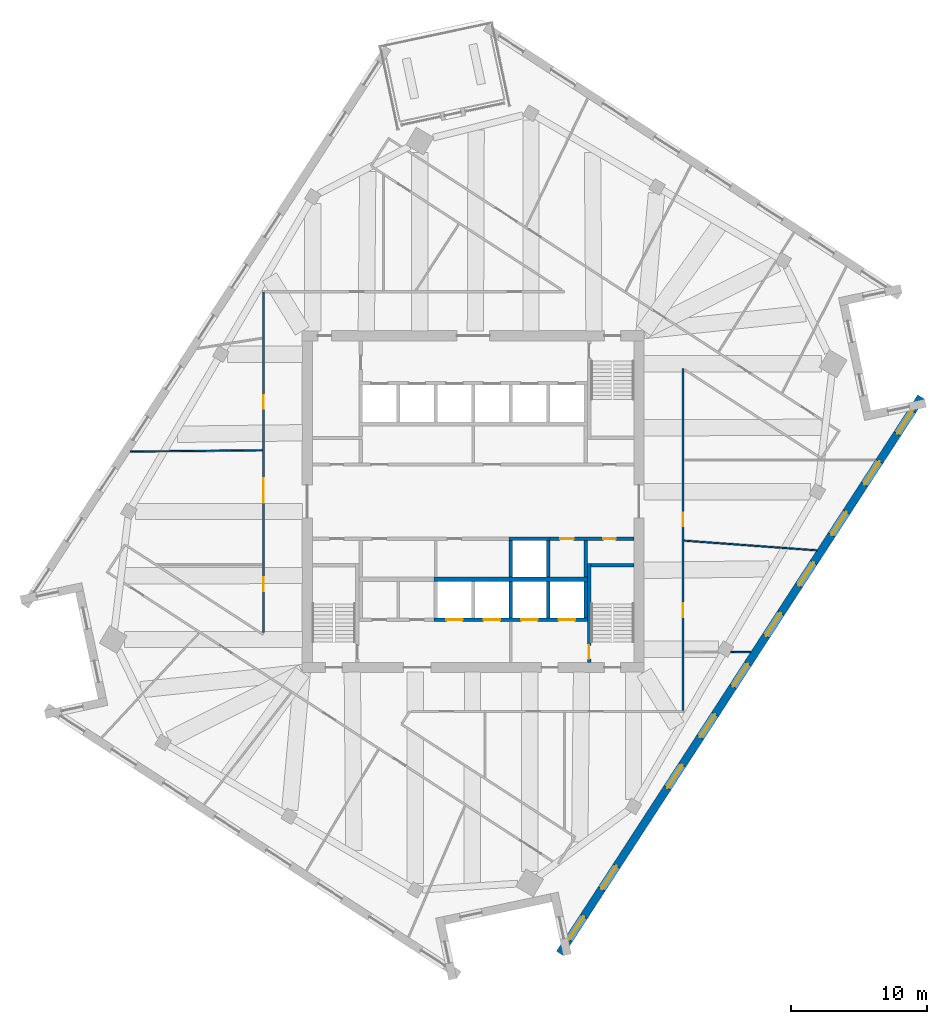
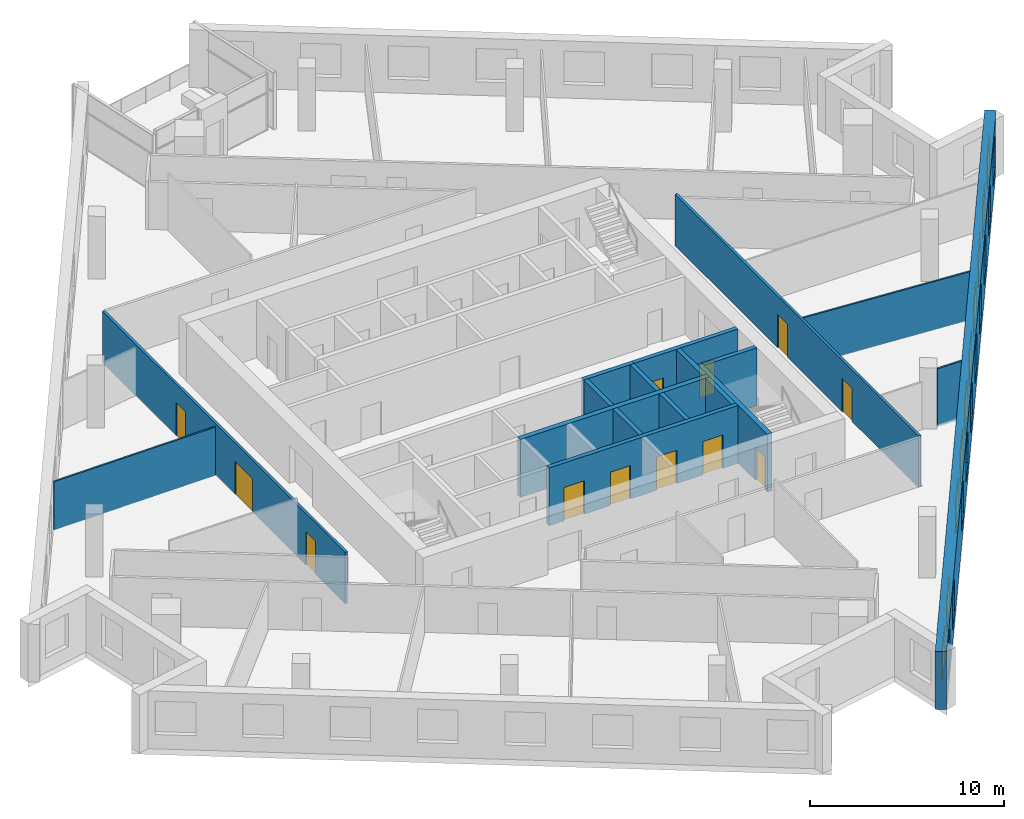
# One storey, part 7 of 12: 18 walls, 12 doors, 10 windows, 22 openings.
"""IFC4 building model written with IfcOpenShell, lengths in metres."""

from ifc_helpers import new_model, si_unit, direction, frame, frame_2d, origin, place, context, subcontext, project, spatial, rectangle, extrude, material, layer, layer_set, type_object, element, fill, save


model = new_model("IFC4")

# Units and contexts
model_context = context("Model", 3, precision=1e-05, world=origin(), true_north=direction((0.0, 1.0)))
body_context = subcontext(model_context, "Body", "Model", "MODEL_VIEW")
ifc_project = project(units=[si_unit("LENGTHUNIT", "METRE"), si_unit("AREAUNIT", "SQUARE_METRE"), si_unit("VOLUMEUNIT", "CUBIC_METRE"), si_unit("PLANEANGLEUNIT", "RADIAN"), si_unit("MASSUNIT", "GRAM", prefix="KILO")], contexts=[model_context])

# Site, building, storey
site_placement = place(None, origin())
site = spatial("IfcSite", under=ifc_project, at=site_placement, CompositionType="ELEMENT")
building_placement = place(site_placement, origin())
building = spatial("IfcBuilding", under=site, at=building_placement, Name="Dilmun Exchange Tower", CompositionType="ELEMENT")
storey_placement = place(building_placement, frame((0.0, 0.0, 258.89990234375)))
storey = spatial("IfcBuildingStorey", under=building, at=storey_placement, Name="L61", CompositionType="ELEMENT", Elevation=258.89990234375)

# Wall
ifc_material_1 = material(Name="Concrete C40/50", Category="concrete")
ifc_layer_1 = layer(ifc_material_1, 0.25)
ifc_layer_set_1 = layer_set([ifc_layer_1], Name="Concrete C40/50")
wall_type_1 = type_object("IfcWallType", Name="Core partition wall 250", PredefinedType="PARTITIONING", material=ifc_layer_set_1)
wall_1_placement = place(storey_placement, frame((8.25, -5.544921875, 0.0), z_axis=(0.0, 0.0, 1.0), x_axis=(0.0, 1.0, 0.0)))
element("IfcWall", 1, at=wall_1_placement, inside=storey, type_object=wall_type_1, Name="L61 core partition wall 08", PredefinedType="PARTITIONING", context=body_context, shape_type="SweptSolid", body=[
    extrude(rectangle(XDim=2.68994140625, YDim=0.25, at=frame_2d((1.344970703125, 0.0))), origin(), (0.0, 0.0, 1.0), 3.64013671875),
])

# Wall, openings, doors
wall_2_placement = place(storey_placement, frame((5.6298828125, -2.72509765625, 0.0), z_axis=(0.0, 0.0, 1.0), x_axis=(1.0, 0.0, 0.0)))
wall_2 = element("IfcWall", 2, at=wall_2_placement, inside=storey, type_object=wall_type_1, Name="L61 core partition wall 10", PredefinedType="PARTITIONING", context=body_context, shape_type="SweptSolid", body=[
    extrude(rectangle(XDim=6.1650390625, YDim=0.25, at=frame_2d((3.08251953125, 0.0))), origin(), (0.0, 0.0, 1.0), 3.64013671875),
])
opening_1_placement = place(wall_2_placement, frame((0.7451171875, 0.0, 0.0)))
opening_1 = element("IfcOpeningElement", 3, at=opening_1_placement, cuts=wall_2, Name="Opening CD4", PredefinedType="OPENING", context=body_context, shape_type="SweptSolid", body=[
    extrude(rectangle(XDim=1.0, YDim=2.10009765625, at=frame_2d((0.5, 1.050048828125))), frame((0.0, 0.135009765625, 0.0), z_axis=(0.0, -1.0, 0.0), x_axis=(1.0, 0.0, 0.0)), (0.0, 0.0, 1.0), 0.27001953125),
])
opening_2_placement = place(wall_2_placement, frame((3.919921875, 0.0, 0.0)))
opening_2 = element("IfcOpeningElement", 4, at=opening_2_placement, cuts=wall_2, Name="Opening CD6", PredefinedType="OPENING", context=body_context, shape_type="SweptSolid", body=[
    extrude(rectangle(XDim=0.89990234375, YDim=2.10009765625, at=frame_2d((0.449951171875, 1.050048828125))), frame((0.0, 0.135009765625, 0.0), z_axis=(0.0, -1.0, 0.0), x_axis=(1.0, 0.0, 0.0)), (0.0, 0.0, 1.0), 0.27001953125),
])
ifc_material_2 = material(Name="Fire-rated steel door set", Category="steel")
door_type_1 = type_object("IfcDoorType", Name="Core room door 1000x2100", OperationType="SINGLE_SWING_LEFT", PredefinedType="DOOR", material=ifc_material_2)
door_1_placement = place(opening_1_placement, origin())
door_1 = element("IfcDoor", 5, at=door_1_placement, inside=storey, type_object=door_type_1, Name="L61 door Cleaners' store", OperationType="SINGLE_SWING_RIGHT", OverallHeight=2.10009765625, OverallWidth=1.0, PredefinedType="DOOR", context=body_context, shape_type="SweptSolid", body=[
    extrude(rectangle(XDim=1.0, YDim=2.10009765625, at=frame_2d((0.5, 1.050048828125))), frame((0.0, 0.02490234375, 0.0), z_axis=(0.0, -1.0, 0.0), x_axis=(1.0, 0.0, 0.0)), (0.0, 0.0, 1.0), 0.050048828125),
])
fill(opening_1, door_1)
door_type_2 = type_object("IfcDoorType", Name="Core room door 900x2100", OperationType="SINGLE_SWING_LEFT", PredefinedType="DOOR", material=ifc_material_2)
door_2_placement = place(opening_2_placement, origin())
door_2 = element("IfcDoor", 6, at=door_2_placement, inside=storey, type_object=door_type_2, Name="L61 door Comms riser", OperationType="SINGLE_SWING_RIGHT", OverallHeight=2.10009765625, OverallWidth=0.89990234375, PredefinedType="DOOR", context=body_context, shape_type="SweptSolid", body=[
    extrude(rectangle(XDim=0.89990234375, YDim=2.10009765625, at=frame_2d((0.449951171875, 1.050048828125))), frame((0.0, 0.02490234375, 0.0), z_axis=(0.0, -1.0, 0.0), x_axis=(1.0, 0.0, 0.0)), (0.0, 0.0, 1.0), 0.050048828125),
])
fill(opening_2, door_2)

ifc_material_3 = material(Name="Corridor wall 150")
ifc_layer_2 = layer(ifc_material_3, 0.14990234375)
ifc_layer_set_2 = layer_set([ifc_layer_2], Name="Corridor wall 150")
wall_type_2 = type_object("IfcWallType", Name="Corridor wall 150", PredefinedType="PARTITIONING", material=ifc_layer_set_2)
wall_3_placement = place(storey_placement, frame((-15.39990234375, -9.618896484375, 0.0), z_axis=(0.0, 0.0, 1.0), x_axis=(0.0, 1.0, 0.0)))
wall_3 = element("IfcWall", 7, at=wall_3_placement, inside=storey, type_object=wall_type_2, Name="Corridor wall", PredefinedType="PARTITIONING", context=body_context, shape_type="SweptSolid", body=[
    extrude(rectangle(XDim=25.018798828125, YDim=0.14990234375, at=frame_2d((12.50927734375, 0.0))), origin(), (0.0, 0.0, 1.0), 3.239990234375),
])
opening_3_placement = place(wall_3_placement, frame((9.53173828125, 0.0, 0.0)))
opening_3 = element("IfcOpeningElement", 8, at=opening_3_placement, cuts=wall_3, Name="Opening TF60-D01", PredefinedType="OPENING", context=body_context, shape_type="SweptSolid", body=[
    extrude(rectangle(XDim=1.800048828125, YDim=2.10009765625, at=frame_2d((0.89990234375, 1.050048828125))), frame((0.0, 0.0849609375, 0.0), z_axis=(0.0, -1.0, 0.0), x_axis=(1.0, 0.0, 0.0)), (0.0, 0.0, 1.0), 0.169921875),
])
opening_4_placement = place(wall_3_placement, frame((16.4365234375, 0.0, 0.0)))
opening_4 = element("IfcOpeningElement", 9, at=opening_4_placement, cuts=wall_3, Name="Opening TF60-D04", PredefinedType="OPENING", context=body_context, shape_type="SweptSolid", body=[
    extrude(rectangle(XDim=1.0, YDim=2.10009765625, at=frame_2d((0.5, 1.050048828125))), frame((0.0, 0.0849609375, 0.0), z_axis=(0.0, -1.0, 0.0), x_axis=(1.0, 0.0, 0.0)), (0.0, 0.0, 1.0), 0.169921875),
])
opening_5_placement = place(wall_3_placement, frame((3.050048828125, 0.0, 0.0)))
opening_5 = element("IfcOpeningElement", 10, at=opening_5_placement, cuts=wall_3, Name="Opening TF60-D05", PredefinedType="OPENING", context=body_context, shape_type="SweptSolid", body=[
    extrude(rectangle(XDim=1.0, YDim=2.10009765625, at=frame_2d((0.5, 1.050048828125))), frame((0.0, 0.0849609375, 0.0), z_axis=(0.0, -1.0, 0.0), x_axis=(1.0, 0.0, 0.0)), (0.0, 0.0, 1.0), 0.169921875),
])
ifc_material_4 = material(Name="Fire door 1000 x 2100")
door_type_3 = type_object("IfcDoorType", Name="Fire door 1000 x 2100", OperationType="NOTDEFINED", PredefinedType="DOOR", material=ifc_material_4)
door_3_placement = place(opening_4_placement, origin())
door_3 = element("IfcDoor", 11, at=door_3_placement, inside=storey, type_object=door_type_3, Name="Door TF60-D04", OperationType="SINGLE_SWING_LEFT", OverallHeight=2.10009765625, OverallWidth=1.0, PredefinedType="DOOR", context=body_context, shape_type="SweptSolid", body=[
    extrude(rectangle(XDim=1.0, YDim=2.10009765625, at=frame_2d((0.5, 1.050048828125))), frame((0.0, 0.02490234375, 0.0), z_axis=(0.0, -1.0, 0.0), x_axis=(1.0, 0.0, 0.0)), (0.0, 0.0, 1.0), 0.050048828125),
])
fill(opening_4, door_3)
door_4_placement = place(opening_5_placement, origin())
door_4 = element("IfcDoor", 12, at=door_4_placement, inside=storey, type_object=door_type_3, Name="Door TF60-D05", OperationType="SINGLE_SWING_LEFT", OverallHeight=2.10009765625, OverallWidth=1.0, PredefinedType="DOOR", context=body_context, shape_type="SweptSolid", body=[
    extrude(rectangle(XDim=1.0, YDim=2.10009765625, at=frame_2d((0.5, 1.050048828125))), frame((0.0, 0.02490234375, 0.0), z_axis=(0.0, -1.0, 0.0), x_axis=(1.0, 0.0, 0.0)), (0.0, 0.0, 1.0), 0.050048828125),
])
fill(opening_5, door_4)
ifc_material_5 = material(Name="Fire door pair 1800 x 2100")
door_type_4 = type_object("IfcDoorType", Name="Fire door pair 1800 x 2100", OperationType="NOTDEFINED", PredefinedType="DOOR", material=ifc_material_5)
door_5_placement = place(opening_3_placement, origin())
door_5 = element("IfcDoor", 13, at=door_5_placement, inside=storey, type_object=door_type_4, Name="Door TF60-D01", OperationType="DOUBLE_DOOR_SINGLE_SWING", OverallHeight=2.10009765625, OverallWidth=1.800048828125, PredefinedType="DOOR", context=body_context, shape_type="SweptSolid", body=[
    extrude(rectangle(XDim=1.800048828125, YDim=2.10009765625, at=frame_2d((0.89990234375, 1.050048828125))), frame((0.0, 0.02490234375, 0.0), z_axis=(0.0, -1.0, 0.0), x_axis=(1.0, 0.0, 0.0)), (0.0, 0.0, 1.0), 0.050048828125),
])
fill(opening_3, door_5)

wall_4_placement = place(storey_placement, frame((15.39990234375, -15.324951171875, 0.0), z_axis=(0.0, 0.0, 1.0), x_axis=(0.0, 1.0, 0.0)))
wall_4 = element("IfcWall", 14, at=wall_4_placement, inside=storey, type_object=wall_type_2, Name="Corridor wall", PredefinedType="PARTITIONING", context=body_context, shape_type="SweptSolid", body=[
    extrude(rectangle(XDim=25.08203125, YDim=0.14990234375, at=frame_2d((12.541015625, 0.0))), origin(), (0.0, 0.0, 1.0), 3.239990234375),
])
opening_6_placement = place(wall_4_placement, frame((6.8466796875, 0.0, 0.0)))
opening_6 = element("IfcOpeningElement", 15, at=opening_6_placement, cuts=wall_4, Name="Opening TF60-D18", PredefinedType="OPENING", context=body_context, shape_type="SweptSolid", body=[
    extrude(rectangle(XDim=1.0, YDim=2.10009765625, at=frame_2d((0.5, 1.050048828125))), frame((0.0, 0.0849609375, 0.0), z_axis=(0.0, -1.0, 0.0), x_axis=(1.0, 0.0, 0.0)), (0.0, 0.0, 1.0), 0.169921875),
])
opening_7_placement = place(wall_4_placement, frame((13.51171875, 0.0, 0.0)))
opening_7 = element("IfcOpeningElement", 16, at=opening_7_placement, cuts=wall_4, Name="Opening TF60-D19", PredefinedType="OPENING", context=body_context, shape_type="SweptSolid", body=[
    extrude(rectangle(XDim=1.0, YDim=2.10009765625, at=frame_2d((0.5, 1.050048828125))), frame((0.0, 0.0849609375, 0.0), z_axis=(0.0, -1.0, 0.0), x_axis=(1.0, 0.0, 0.0)), (0.0, 0.0, 1.0), 0.169921875),
])
door_6_placement = place(opening_6_placement, frame((1.0, 0.0, 0.0), z_axis=(0.0, 0.0, 1.0), x_axis=(-1.0, 0.0, 0.0)))
door_6 = element("IfcDoor", 17, at=door_6_placement, inside=storey, type_object=door_type_3, Name="Door TF60-D18", OperationType="SINGLE_SWING_RIGHT", OverallHeight=2.10009765625, OverallWidth=1.0, PredefinedType="DOOR", context=body_context, shape_type="SweptSolid", body=[
    extrude(rectangle(XDim=1.0, YDim=2.10009765625, at=frame_2d((0.5, 1.050048828125))), frame((0.0, 0.02490234375, 0.0), z_axis=(0.0, -1.0, 0.0), x_axis=(1.0, 0.0, 0.0)), (0.0, 0.0, 1.0), 0.050048828125),
])
fill(opening_6, door_6)
door_7_placement = place(opening_7_placement, frame((1.0, 0.0, 0.0), z_axis=(0.0, 0.0, 1.0), x_axis=(-1.0, 0.0, 0.0)))
door_7 = element("IfcDoor", 18, at=door_7_placement, inside=storey, type_object=door_type_3, Name="Door TF60-D19", OperationType="SINGLE_SWING_LEFT", OverallHeight=2.10009765625, OverallWidth=1.0, PredefinedType="DOOR", context=body_context, shape_type="SweptSolid", body=[
    extrude(rectangle(XDim=1.0, YDim=2.10009765625, at=frame_2d((0.5, 1.050048828125))), frame((0.0, 0.02490234375, 0.0), z_axis=(0.0, -1.0, 0.0), x_axis=(1.0, 0.0, 0.0)), (0.0, 0.0, 1.0), 0.050048828125),
])
fill(opening_7, door_7)

# Walls
ifc_layer_3 = layer(ifc_material_1, 0.300048828125)
ifc_layer_set_3 = layer_set([ifc_layer_3], Name="Concrete C40/50")
wall_type_3 = type_object("IfcWallType", Name="Lift shaft shared wall 300", PredefinedType="SOLIDWALL", material=ifc_layer_set_3)
wall_5_placement = place(storey_placement, frame((-2.875, -5.699951171875, 0.0), z_axis=(0.0, 0.0, 1.0), x_axis=(1.0, 0.0, 0.0)))
element("IfcWall", 19, at=wall_5_placement, inside=storey, type_object=wall_type_3, Name="L61 lift shaft rear wall S", PredefinedType="SOLIDWALL", context=body_context, shape_type="SweptSolid", body=[
    extrude(rectangle(XDim=11.25, YDim=0.300048828125, at=frame_2d((5.625, 0.0))), origin(), (0.0, 0.0, 1.0), 3.64013671875),
])
ifc_layer_4 = layer(ifc_material_1, 0.25)
ifc_layer_set_4 = layer_set([ifc_layer_4], Name="Concrete C40/50")
wall_type_4 = type_object("IfcWallType", Name="Lift shaft wall 250", PredefinedType="SOLIDWALL", material=ifc_layer_set_4)
wall_6_placement = place(storey_placement, frame((2.625, -2.72509765625, 0.0), z_axis=(0.0, 0.0, 1.0), x_axis=(1.0, 0.0, 0.0)))
element("IfcWall", 20, at=wall_6_placement, inside=storey, type_object=wall_type_4, Name="L61 lift shaft front wall S1", PredefinedType="SOLIDWALL", context=body_context, shape_type="SweptSolid", body=[
    extrude(rectangle(XDim=3.0, YDim=0.25, at=frame_2d((1.5, 0.0))), origin(), (0.0, 0.0, 1.0), 3.64013671875),
])
for number, where, z_axis, x_axis, name in (
    (21, (2.75, -5.550048828125, 0.0), (0.0, 0.0, 1.0), (0.0, 1.0, 0.0), "L61 lift shaft divider S14"),
    (22, (5.5, -5.550048828125, 0.0), (0.0, 0.0, 1.0), (0.0, 1.0, 0.0), "L61 lift shaft divider S15"),
):
    element("IfcWall", number, at=place(storey_placement, frame(where, z_axis=z_axis, x_axis=x_axis)), inside=storey, type_object=wall_type_4, Name=name, PredefinedType="SOLIDWALL", context=body_context, shape_type="SweptSolid", body=[
        extrude(rectangle(XDim=2.699951171875, YDim=0.25, at=frame_2d((1.35009765625, 0.0))), origin(), (0.0, 0.0, 1.0), 3.64013671875),
    ])

# Wall, openings, doors
wall_7_placement = place(storey_placement, frame((-2.875, -8.675048828125, 0.0), z_axis=(0.0, 0.0, 1.0), x_axis=(1.0, 0.0, 0.0)))
wall_7 = element("IfcWall", 23, at=wall_7_placement, inside=storey, type_object=wall_type_4, Name="L61 lift shaft front wall S2", PredefinedType="SOLIDWALL", context=body_context, shape_type="SweptSolid", body=[
    extrude(rectangle(XDim=11.25, YDim=0.25, at=frame_2d((5.625, 0.0))), origin(), (0.0, 0.0, 1.0), 3.64013671875),
])
opening_8_placement = place(wall_7_placement, frame((0.89990234375, 0.0, 0.0)))
opening_8 = element("IfcOpeningElement", 24, at=opening_8_placement, cuts=wall_7, Name="Opening LD", PredefinedType="OPENING", context=body_context, shape_type="SweptSolid", body=[
    extrude(rectangle(XDim=1.199951171875, YDim=2.10009765625, at=frame_2d((0.60009765625, 1.050048828125))), frame((0.0, 0.135009765625, 0.0), z_axis=(0.0, -1.0, 0.0), x_axis=(1.0, 0.0, 0.0)), (0.0, 0.0, 1.0), 0.27001953125),
])
opening_9_placement = place(wall_7_placement, frame((3.64990234375, 0.0, 0.0)))
opening_9 = element("IfcOpeningElement", 25, at=opening_9_placement, cuts=wall_7, Name="Opening LD", PredefinedType="OPENING", context=body_context, shape_type="SweptSolid", body=[
    extrude(rectangle(XDim=1.199951171875, YDim=2.10009765625, at=frame_2d((0.60009765625, 1.050048828125))), frame((0.0, 0.135009765625, 0.0), z_axis=(0.0, -1.0, 0.0), x_axis=(1.0, 0.0, 0.0)), (0.0, 0.0, 1.0), 0.27001953125),
])
opening_10_placement = place(wall_7_placement, frame((6.39990234375, 0.0, 0.0)))
opening_10 = element("IfcOpeningElement", 26, at=opening_10_placement, cuts=wall_7, Name="Opening LD", PredefinedType="OPENING", context=body_context, shape_type="SweptSolid", body=[
    extrude(rectangle(XDim=1.199951171875, YDim=2.10009765625, at=frame_2d((0.60009765625, 1.050048828125))), frame((0.0, 0.135009765625, 0.0), z_axis=(0.0, -1.0, 0.0), x_axis=(1.0, 0.0, 0.0)), (0.0, 0.0, 1.0), 0.27001953125),
])
opening_11_placement = place(wall_7_placement, frame((9.14990234375, 0.0, 0.0)))
opening_11 = element("IfcOpeningElement", 27, at=opening_11_placement, cuts=wall_7, Name="Opening LD", PredefinedType="OPENING", context=body_context, shape_type="SweptSolid", body=[
    extrude(rectangle(XDim=1.199951171875, YDim=2.10009765625, at=frame_2d((0.60009765625, 1.050048828125))), frame((0.0, 0.135009765625, 0.0), z_axis=(0.0, -1.0, 0.0), x_axis=(1.0, 0.0, 0.0)), (0.0, 0.0, 1.0), 0.27001953125),
])
door_type_5 = type_object("IfcDoorType", Name="Lift landing door 1200x2100", OperationType="DOUBLE_DOOR_SLIDING", PredefinedType="DOOR", material=ifc_material_2)
door_8_placement = place(opening_8_placement, origin())
door_8 = element("IfcDoor", 28, at=door_8_placement, inside=storey, type_object=door_type_5, Name="L61 landing door SV1", OperationType="DOUBLE_DOOR_SLIDING", OverallHeight=2.10009765625, OverallWidth=1.199951171875, PredefinedType="DOOR", context=body_context, shape_type="SweptSolid", body=[
    extrude(rectangle(XDim=1.199951171875, YDim=2.10009765625, at=frame_2d((0.60009765625, 1.050048828125))), frame((0.0, 0.02490234375, 0.0), z_axis=(0.0, -1.0, 0.0), x_axis=(1.0, 0.0, 0.0)), (0.0, 0.0, 1.0), 0.050048828125),
])
fill(opening_8, door_8)
door_9_placement = place(opening_9_placement, origin())
door_9 = element("IfcDoor", 29, at=door_9_placement, inside=storey, type_object=door_type_5, Name="L61 landing door SV2", OperationType="DOUBLE_DOOR_SLIDING", OverallHeight=2.10009765625, OverallWidth=1.199951171875, PredefinedType="DOOR", context=body_context, shape_type="SweptSolid", body=[
    extrude(rectangle(XDim=1.199951171875, YDim=2.10009765625, at=frame_2d((0.60009765625, 1.050048828125))), frame((0.0, 0.02490234375, 0.0), z_axis=(0.0, -1.0, 0.0), x_axis=(1.0, 0.0, 0.0)), (0.0, 0.0, 1.0), 0.050048828125),
])
fill(opening_9, door_9)
door_10_placement = place(opening_10_placement, origin())
door_10 = element("IfcDoor", 30, at=door_10_placement, inside=storey, type_object=door_type_5, Name="L61 landing door FF1", OperationType="DOUBLE_DOOR_SLIDING", OverallHeight=2.10009765625, OverallWidth=1.199951171875, PredefinedType="DOOR", context=body_context, shape_type="SweptSolid", body=[
    extrude(rectangle(XDim=1.199951171875, YDim=2.10009765625, at=frame_2d((0.60009765625, 1.050048828125))), frame((0.0, 0.02490234375, 0.0), z_axis=(0.0, -1.0, 0.0), x_axis=(1.0, 0.0, 0.0)), (0.0, 0.0, 1.0), 0.050048828125),
])
fill(opening_10, door_10)
door_11_placement = place(opening_11_placement, origin())
door_11 = element("IfcDoor", 31, at=door_11_placement, inside=storey, type_object=door_type_5, Name="L61 landing door FF2", OperationType="DOUBLE_DOOR_SLIDING", OverallHeight=2.10009765625, OverallWidth=1.199951171875, PredefinedType="DOOR", context=body_context, shape_type="SweptSolid", body=[
    extrude(rectangle(XDim=1.199951171875, YDim=2.10009765625, at=frame_2d((0.60009765625, 1.050048828125))), frame((0.0, 0.02490234375, 0.0), z_axis=(0.0, -1.0, 0.0), x_axis=(1.0, 0.0, 0.0)), (0.0, 0.0, 1.0), 0.050048828125),
])
fill(opening_11, door_11)

# Walls
for number, where, z_axis, x_axis, name in (
    (32, (2.75, -8.550048828125, 0.0), (0.0, 0.0, 1.0), (0.0, 1.0, 0.0), "L61 lift shaft divider S24"),
    (33, (5.5, -8.550048828125, 0.0), (0.0, 0.0, 1.0), (0.0, 1.0, 0.0), "L61 lift shaft divider S25"),
    (34, (8.25, -8.550048828125, 0.0), (0.0, 0.0, 1.0), (0.0, 1.0, 0.0), "L61 lift shaft divider S26"),
):
    element("IfcWall", number, at=place(storey_placement, frame(where, z_axis=z_axis, x_axis=x_axis)), inside=storey, type_object=wall_type_4, Name=name, PredefinedType="SOLIDWALL", context=body_context, shape_type="SweptSolid", body=[
        extrude(rectangle(XDim=2.699951171875, YDim=0.25, at=frame_2d((1.35009765625, 0.0))), origin(), (0.0, 0.0, 1.0), 3.64013671875),
    ])
ifc_material_6 = material(Name="Partition 100")
ifc_layer_5 = layer(ifc_material_6, 0.10009765625)
ifc_layer_set_5 = layer_set([ifc_layer_5], Name="Partition 100")
wall_type_5 = type_object("IfcWallType", Name="Partition 100", PredefinedType="PARTITIONING", material=ifc_layer_set_5)
wall_8_placement = place(storey_placement, frame((-25.156982421875, 3.671142578125, 0.0), z_axis=(0.0, 0.0, 1.0), x_axis=(0.999950644633, 0.009935204993, 0.0)))
element("IfcWall", 35, at=wall_8_placement, inside=storey, type_object=wall_type_5, Name="Partition", PredefinedType="PARTITIONING", context=body_context, shape_type="SweptSolid", body=[
    extrude(rectangle(XDim=9.681884765625, YDim=0.10009765625, at=frame_2d((4.8408203125, 0.0))), origin(), (0.0, 0.0, 1.0), 3.0400390625),
])
wall_9_placement = place(storey_placement, frame((15.478759765625, -2.86572265625, 0.0), z_axis=(0.0, 0.0, 1.0), x_axis=(0.997329416564, -0.073034477181, 0.0)))
element("IfcWall", 36, at=wall_9_placement, inside=storey, type_object=wall_type_5, Name="Partition", PredefinedType="PARTITIONING", context=body_context, shape_type="SweptSolid", body=[
    extrude(rectangle(XDim=9.764404296875, YDim=0.10009765625, at=frame_2d((4.88232421875, 0.0))), origin(), (0.0, 0.0, 1.0), 3.0400390625),
])
wall_10_placement = place(storey_placement, frame((18.911865234375, -11.042724609375, 0.0), z_axis=(0.0, 0.0, 1.0), x_axis=(0.999990472014, -0.004365304277, 0.0)))
element("IfcWall", 37, at=wall_10_placement, inside=storey, type_object=wall_type_5, Name="Partition", PredefinedType="PARTITIONING", context=body_context, shape_type="SweptSolid", body=[
    extrude(rectangle(XDim=1.4541015625, YDim=0.10009765625, at=frame_2d((0.72705078125, 0.0))), origin(), (0.0, 0.0, 1.0), 3.64013671875),
])

# Wall, openings, windows
ifc_material_7 = material(Name="Precast concrete C50/60", Category="concrete")
ifc_layer_6 = layer(ifc_material_7, 0.60009765625)
ifc_layer_set_6 = layer_set([ifc_layer_6], Name="Precast concrete C50/60")
wall_type_6 = type_object("IfcWallType", Name="Precast stone-clad wall 600", PredefinedType="STANDARD", material=ifc_layer_set_6)
wall_11_placement = place(storey_placement, frame((6.36669921875, -33.160400390625, 0.0), z_axis=(0.0, 0.0, 1.0), x_axis=(0.544637371147, 0.838671648472, 0.0)))
wall_11 = element("IfcWall", 38, at=wall_11_placement, inside=storey, type_object=wall_type_6, Name="Facade wall L61-11", PredefinedType="STANDARD", context=body_context, shape_type="SweptSolid", body=[
    extrude(rectangle(XDim=48.686279296875, YDim=0.60009765625, at=frame_2d((24.34326171875, 0.0))), origin(), (0.0, 0.0, 1.0), 3.64013671875),
])
opening_12_placement = place(wall_11_placement, frame((1.212890625, 0.0, 0.89990234375)))
opening_12 = element("IfcOpeningElement", 39, at=opening_12_placement, cuts=wall_11, Name="Opening W200-210", PredefinedType="OPENING", context=body_context, shape_type="SweptSolid", body=[
    extrude(rectangle(XDim=2.0, YDim=2.10009765625, at=frame_2d((1.0, 1.050048828125))), frame((0.0, 0.31005859375, 0.0), z_axis=(0.0, -1.0, 0.0), x_axis=(1.0, 0.0, 0.0)), (0.0, 0.0, 1.0), 0.6201171875),
])
opening_13_placement = place(wall_11_placement, frame((5.638916015625, 0.0, 0.89990234375)))
opening_13 = element("IfcOpeningElement", 40, at=opening_13_placement, cuts=wall_11, Name="Opening W200-210", PredefinedType="OPENING", context=body_context, shape_type="SweptSolid", body=[
    extrude(rectangle(XDim=2.0, YDim=2.10009765625, at=frame_2d((1.0, 1.050048828125))), frame((0.0, 0.31005859375, 0.0), z_axis=(0.0, -1.0, 0.0), x_axis=(1.0, 0.0, 0.0)), (0.0, 0.0, 1.0), 0.6201171875),
])
opening_14_placement = place(wall_11_placement, frame((14.4912109375, 0.0, 0.89990234375)))
opening_14 = element("IfcOpeningElement", 41, at=opening_14_placement, cuts=wall_11, Name="Opening W200-210", PredefinedType="OPENING", context=body_context, shape_type="SweptSolid", body=[
    extrude(rectangle(XDim=2.0, YDim=2.10009765625, at=frame_2d((1.0, 1.050048828125))), frame((0.0, 0.31005859375, 0.0), z_axis=(0.0, -1.0, 0.0), x_axis=(1.0, 0.0, 0.0)), (0.0, 0.0, 1.0), 0.6201171875),
])
opening_15_placement = place(wall_11_placement, frame((18.9169921875, 0.0, 0.89990234375)))
opening_15 = element("IfcOpeningElement", 42, at=opening_15_placement, cuts=wall_11, Name="Opening W200-210", PredefinedType="OPENING", context=body_context, shape_type="SweptSolid", body=[
    extrude(rectangle(XDim=2.0, YDim=2.10009765625, at=frame_2d((1.0, 1.050048828125))), frame((0.0, 0.31005859375, 0.0), z_axis=(0.0, -1.0, 0.0), x_axis=(1.0, 0.0, 0.0)), (0.0, 0.0, 1.0), 0.6201171875),
])
opening_16_placement = place(wall_11_placement, frame((23.343017578125, 0.0, 0.89990234375)))
opening_16 = element("IfcOpeningElement", 43, at=opening_16_placement, cuts=wall_11, Name="Opening W200-210", PredefinedType="OPENING", context=body_context, shape_type="SweptSolid", body=[
    extrude(rectangle(XDim=2.0, YDim=2.10009765625, at=frame_2d((1.0, 1.050048828125))), frame((0.0, 0.31005859375, 0.0), z_axis=(0.0, -1.0, 0.0), x_axis=(1.0, 0.0, 0.0)), (0.0, 0.0, 1.0), 0.6201171875),
])
opening_17_placement = place(wall_11_placement, frame((27.769287109375, 0.0, 0.89990234375)))
opening_17 = element("IfcOpeningElement", 44, at=opening_17_placement, cuts=wall_11, Name="Opening W200-210", PredefinedType="OPENING", context=body_context, shape_type="SweptSolid", body=[
    extrude(rectangle(XDim=2.0, YDim=2.10009765625, at=frame_2d((1.0, 1.050048828125))), frame((0.0, 0.31005859375, 0.0), z_axis=(0.0, -1.0, 0.0), x_axis=(1.0, 0.0, 0.0)), (0.0, 0.0, 1.0), 0.6201171875),
])
opening_18_placement = place(wall_11_placement, frame((32.1953125, 0.0, 0.89990234375)))
opening_18 = element("IfcOpeningElement", 45, at=opening_18_placement, cuts=wall_11, Name="Opening W200-210", PredefinedType="OPENING", context=body_context, shape_type="SweptSolid", body=[
    extrude(rectangle(XDim=2.0, YDim=2.10009765625, at=frame_2d((1.0, 1.050048828125))), frame((0.0, 0.31005859375, 0.0), z_axis=(0.0, -1.0, 0.0), x_axis=(1.0, 0.0, 0.0)), (0.0, 0.0, 1.0), 0.6201171875),
])
opening_19_placement = place(wall_11_placement, frame((36.62109375, 0.0, 0.89990234375)))
opening_19 = element("IfcOpeningElement", 46, at=opening_19_placement, cuts=wall_11, Name="Opening W200-210", PredefinedType="OPENING", context=body_context, shape_type="SweptSolid", body=[
    extrude(rectangle(XDim=2.0, YDim=2.10009765625, at=frame_2d((1.0, 1.050048828125))), frame((0.0, 0.31005859375, 0.0), z_axis=(0.0, -1.0, 0.0), x_axis=(1.0, 0.0, 0.0)), (0.0, 0.0, 1.0), 0.6201171875),
])
opening_20_placement = place(wall_11_placement, frame((41.04736328125, 0.0, 0.89990234375)))
opening_20 = element("IfcOpeningElement", 47, at=opening_20_placement, cuts=wall_11, Name="Opening W200-210", PredefinedType="OPENING", context=body_context, shape_type="SweptSolid", body=[
    extrude(rectangle(XDim=2.0, YDim=2.10009765625, at=frame_2d((1.0, 1.050048828125))), frame((0.0, 0.31005859375, 0.0), z_axis=(0.0, -1.0, 0.0), x_axis=(1.0, 0.0, 0.0)), (0.0, 0.0, 1.0), 0.6201171875),
])
opening_21_placement = place(wall_11_placement, frame((45.473388671875, 0.0, 0.89990234375)))
opening_21 = element("IfcOpeningElement", 48, at=opening_21_placement, cuts=wall_11, Name="Opening W200-210", PredefinedType="OPENING", context=body_context, shape_type="SweptSolid", body=[
    extrude(rectangle(XDim=2.0, YDim=2.10009765625, at=frame_2d((1.0, 1.050048828125))), frame((0.0, 0.31005859375, 0.0), z_axis=(0.0, -1.0, 0.0), x_axis=(1.0, 0.0, 0.0)), (0.0, 0.0, 1.0), 0.6201171875),
])
ifc_material_8 = material(Name="Clear low-emissivity glass in aluminium frame", Category="aluminium")
window_type = type_object("IfcWindowType", Name="Punched window 2000 x 2100", PartitioningType="DOUBLE_PANEL_VERTICAL", PredefinedType="WINDOW", material=ifc_material_8)
window_1_placement = place(opening_12_placement, origin())
window_1 = element("IfcWindow", 49, at=window_1_placement, inside=storey, type_object=window_type, Name="Window 12.1", OverallHeight=2.10009765625, OverallWidth=2.0, PartitioningType="SINGLE_PANEL", PredefinedType="WINDOW", context=body_context, shape_type="SweptSolid", body=[
    extrude(rectangle(XDim=2.0, YDim=2.10009765625, at=frame_2d((1.0, 1.050048828125))), frame((0.0, 0.030029296875, 0.0), z_axis=(0.0, -1.0, 0.0), x_axis=(1.0, 0.0, 0.0)), (0.0, 0.0, 1.0), 0.06005859375),
])
fill(opening_12, window_1)
window_2_placement = place(opening_13_placement, origin())
window_2 = element("IfcWindow", 50, at=window_2_placement, inside=storey, type_object=window_type, Name="Window 12.2", OverallHeight=2.10009765625, OverallWidth=2.0, PartitioningType="SINGLE_PANEL", PredefinedType="WINDOW", context=body_context, shape_type="SweptSolid", body=[
    extrude(rectangle(XDim=2.0, YDim=2.10009765625, at=frame_2d((1.0, 1.050048828125))), frame((0.0, 0.030029296875, 0.0), z_axis=(0.0, -1.0, 0.0), x_axis=(1.0, 0.0, 0.0)), (0.0, 0.0, 1.0), 0.06005859375),
])
fill(opening_13, window_2)
window_3_placement = place(opening_14_placement, origin())
window_3 = element("IfcWindow", 51, at=window_3_placement, inside=storey, type_object=window_type, Name="Window 12.4", OverallHeight=2.10009765625, OverallWidth=2.0, PartitioningType="SINGLE_PANEL", PredefinedType="WINDOW", context=body_context, shape_type="SweptSolid", body=[
    extrude(rectangle(XDim=2.0, YDim=2.10009765625, at=frame_2d((1.0, 1.050048828125))), frame((0.0, 0.030029296875, 0.0), z_axis=(0.0, -1.0, 0.0), x_axis=(1.0, 0.0, 0.0)), (0.0, 0.0, 1.0), 0.06005859375),
])
fill(opening_14, window_3)
window_4_placement = place(opening_15_placement, origin())
window_4 = element("IfcWindow", 52, at=window_4_placement, inside=storey, type_object=window_type, Name="Window 12.5", OverallHeight=2.10009765625, OverallWidth=2.0, PartitioningType="SINGLE_PANEL", PredefinedType="WINDOW", context=body_context, shape_type="SweptSolid", body=[
    extrude(rectangle(XDim=2.0, YDim=2.10009765625, at=frame_2d((1.0, 1.050048828125))), frame((0.0, 0.030029296875, 0.0), z_axis=(0.0, -1.0, 0.0), x_axis=(1.0, 0.0, 0.0)), (0.0, 0.0, 1.0), 0.06005859375),
])
fill(opening_15, window_4)
window_5_placement = place(opening_16_placement, origin())
window_5 = element("IfcWindow", 53, at=window_5_placement, inside=storey, type_object=window_type, Name="Window 12.6", OverallHeight=2.10009765625, OverallWidth=2.0, PartitioningType="SINGLE_PANEL", PredefinedType="WINDOW", context=body_context, shape_type="SweptSolid", body=[
    extrude(rectangle(XDim=2.0, YDim=2.10009765625, at=frame_2d((1.0, 1.050048828125))), frame((0.0, 0.030029296875, 0.0), z_axis=(0.0, -1.0, 0.0), x_axis=(1.0, 0.0, 0.0)), (0.0, 0.0, 1.0), 0.06005859375),
])
fill(opening_16, window_5)
window_6_placement = place(opening_17_placement, origin())
window_6 = element("IfcWindow", 54, at=window_6_placement, inside=storey, type_object=window_type, Name="Window 12.7", OverallHeight=2.10009765625, OverallWidth=2.0, PartitioningType="SINGLE_PANEL", PredefinedType="WINDOW", context=body_context, shape_type="SweptSolid", body=[
    extrude(rectangle(XDim=2.0, YDim=2.10009765625, at=frame_2d((1.0, 1.050048828125))), frame((0.0, 0.030029296875, 0.0), z_axis=(0.0, -1.0, 0.0), x_axis=(1.0, 0.0, 0.0)), (0.0, 0.0, 1.0), 0.06005859375),
])
fill(opening_17, window_6)
window_7_placement = place(opening_18_placement, origin())
window_7 = element("IfcWindow", 55, at=window_7_placement, inside=storey, type_object=window_type, Name="Window 12.8", OverallHeight=2.10009765625, OverallWidth=2.0, PartitioningType="SINGLE_PANEL", PredefinedType="WINDOW", context=body_context, shape_type="SweptSolid", body=[
    extrude(rectangle(XDim=2.0, YDim=2.10009765625, at=frame_2d((1.0, 1.050048828125))), frame((0.0, 0.030029296875, 0.0), z_axis=(0.0, -1.0, 0.0), x_axis=(1.0, 0.0, 0.0)), (0.0, 0.0, 1.0), 0.06005859375),
])
fill(opening_18, window_7)
window_8_placement = place(opening_19_placement, origin())
window_8 = element("IfcWindow", 56, at=window_8_placement, inside=storey, type_object=window_type, Name="Window 12.9", OverallHeight=2.10009765625, OverallWidth=2.0, PartitioningType="SINGLE_PANEL", PredefinedType="WINDOW", context=body_context, shape_type="SweptSolid", body=[
    extrude(rectangle(XDim=2.0, YDim=2.10009765625, at=frame_2d((1.0, 1.050048828125))), frame((0.0, 0.030029296875, 0.0), z_axis=(0.0, -1.0, 0.0), x_axis=(1.0, 0.0, 0.0)), (0.0, 0.0, 1.0), 0.06005859375),
])
fill(opening_19, window_8)
window_9_placement = place(opening_20_placement, origin())
window_9 = element("IfcWindow", 57, at=window_9_placement, inside=storey, type_object=window_type, Name="Window 12.10", OverallHeight=2.10009765625, OverallWidth=2.0, PartitioningType="SINGLE_PANEL", PredefinedType="WINDOW", context=body_context, shape_type="SweptSolid", body=[
    extrude(rectangle(XDim=2.0, YDim=2.10009765625, at=frame_2d((1.0, 1.050048828125))), frame((0.0, 0.030029296875, 0.0), z_axis=(0.0, -1.0, 0.0), x_axis=(1.0, 0.0, 0.0)), (0.0, 0.0, 1.0), 0.06005859375),
])
fill(opening_20, window_9)
window_10_placement = place(opening_21_placement, origin())
window_10 = element("IfcWindow", 58, at=window_10_placement, inside=storey, type_object=window_type, Name="Window 12.11", OverallHeight=2.10009765625, OverallWidth=2.0, PartitioningType="SINGLE_PANEL", PredefinedType="WINDOW", context=body_context, shape_type="SweptSolid", body=[
    extrude(rectangle(XDim=2.0, YDim=2.10009765625, at=frame_2d((1.0, 1.050048828125))), frame((0.0, 0.030029296875, 0.0), z_axis=(0.0, -1.0, 0.0), x_axis=(1.0, 0.0, 0.0)), (0.0, 0.0, 1.0), 0.06005859375),
])
fill(opening_21, window_10)

# Wall
ifc_layer_7 = layer(ifc_material_1, 0.25)
ifc_layer_set_7 = layer_set([ifc_layer_7], Name="Concrete C40/50")
wall_type_7 = type_object("IfcWallType", Name="Stair end wall 250", PredefinedType="SOLIDWALL", material=ifc_layer_set_7)
wall_12_placement = place(storey_placement, frame((8.64990234375, -4.675048828125, 0.0), z_axis=(0.0, 0.0, 1.0), x_axis=(1.0, 0.0, 0.0)))
element("IfcWall", 59, at=wall_12_placement, inside=storey, type_object=wall_type_7, Name="L61 ST3 far wall", PredefinedType="SOLIDWALL", context=body_context, shape_type="SweptSolid", body=[
    extrude(rectangle(XDim=3.150146484375, YDim=0.25, at=frame_2d((1.5751953125, 0.0))), origin(), (0.0, 0.0, 1.0), 3.64013671875),
])

# Wall, opening, door
ifc_layer_8 = layer(ifc_material_1, 0.27490234375)
ifc_layer_set_8 = layer_set([ifc_layer_8], Name="Concrete C40/50")
wall_type_8 = type_object("IfcWallType", Name="Stair wall 275", PredefinedType="SOLIDWALL", material=ifc_layer_set_8)
wall_13_placement = place(storey_placement, frame((8.512451171875, -4.550048828125, 0.0), z_axis=(0.0, 0.0, 1.0), x_axis=(0.0, -1.0, 0.0)))
wall_13 = element("IfcWall", 60, at=wall_13_placement, inside=storey, type_object=wall_type_8, Name="L61 ST3 wall to lift block", PredefinedType="SOLIDWALL", context=body_context, shape_type="SweptSolid", body=[
    extrude(rectangle(XDim=7.25, YDim=0.27490234375, at=frame_2d((3.625, 0.0))), origin(), (0.0, 0.0, 1.0), 3.64013671875),
])
opening_22_placement = place(wall_13_placement, frame((6.0, 0.0, 0.0)))
opening_22 = element("IfcOpeningElement", 61, at=opening_22_placement, cuts=wall_13, Name="Opening CD4", PredefinedType="OPENING", context=body_context, shape_type="SweptSolid", body=[
    extrude(rectangle(XDim=1.0, YDim=2.10009765625, at=frame_2d((0.5, 1.050048828125))), frame((0.0, 0.1474609375, 0.0), z_axis=(0.0, -1.0, 0.0), x_axis=(1.0, 0.0, 0.0)), (0.0, 0.0, 1.0), 0.294921875),
])
door_12_placement = place(opening_22_placement, origin())
door_12 = element("IfcDoor", 62, at=door_12_placement, inside=storey, type_object=door_type_1, Name="L61 door ST3 from lobby", OperationType="SINGLE_SWING_LEFT", OverallHeight=2.10009765625, OverallWidth=1.0, PredefinedType="DOOR", context=body_context, shape_type="SweptSolid", body=[
    extrude(rectangle(XDim=1.0, YDim=2.10009765625, at=frame_2d((0.5, 1.050048828125))), frame((0.0, 0.02490234375, 0.0), z_axis=(0.0, -1.0, 0.0), x_axis=(1.0, 0.0, 0.0)), (0.0, 0.0, 1.0), 0.050048828125),
])
fill(opening_22, door_12)

save(model, "model.ifc")
